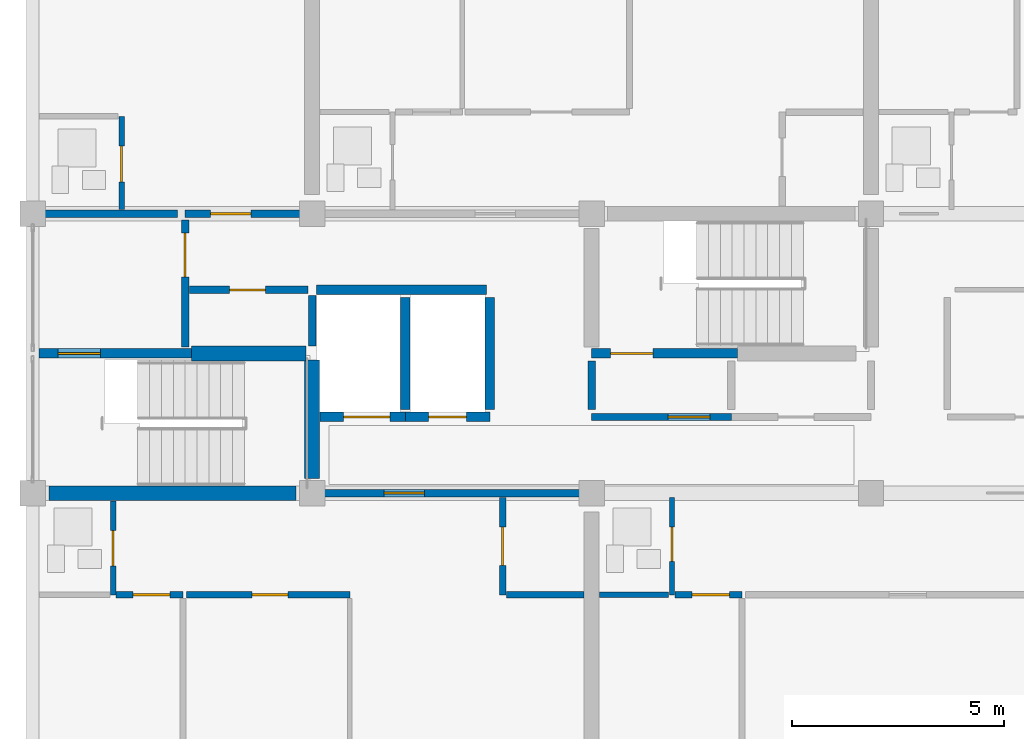
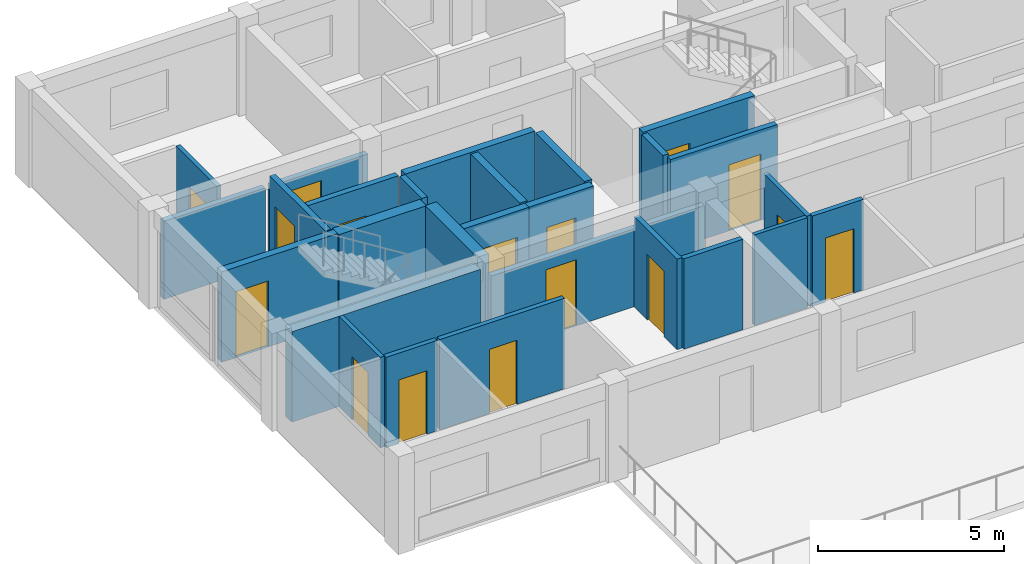
# One storey, part 34 of 51: 27 walls, 16 doors, 16 openings.
"""IFC4 building model written with IfcOpenShell, lengths in metres."""

from ifc_helpers import new_model, si_unit, direction, frame, frame_2d, origin, place, context, subcontext, project, spatial, rectangle, extrude, material, layer, layer_set, type_object, element, fill, save


model = new_model("IFC4")

# Units and contexts
model_context = context("Model", 3, precision=1e-05, world=origin(), true_north=direction((0.0, 1.0)))
body_context = subcontext(model_context, "Body", "Model", "MODEL_VIEW")
ifc_project = project(units=[si_unit("LENGTHUNIT", "METRE"), si_unit("AREAUNIT", "SQUARE_METRE"), si_unit("VOLUMEUNIT", "CUBIC_METRE"), si_unit("PLANEANGLEUNIT", "RADIAN"), si_unit("MASSUNIT", "GRAM", prefix="KILO")], contexts=[model_context])

# Site, building, storey
site_placement = place(None, origin())
site = spatial("IfcSite", under=ifc_project, at=site_placement, CompositionType="ELEMENT")
building_placement = place(site_placement, origin())
building = spatial("IfcBuilding", under=site, at=building_placement, Name="Kernevlak Ridge Housing Community", CompositionType="ELEMENT")
storey_placement = place(building_placement, frame((0.0, 0.0, 8.39990234375)))
storey = spatial("IfcBuildingStorey", under=building, at=storey_placement, Name="L02", CompositionType="ELEMENT", Elevation=8.39990234375)

# Wall, opening, door
ifc_material_1 = material(Name="Concrete C35/45", Category="concrete")
ifc_layer_1 = layer(ifc_material_1, 0.22509765625, Name="Concrete C35/45")
ifc_layer_set_1 = layer_set([ifc_layer_1], Name="Concrete C35/45")
wall_type_1 = type_object("IfcWallType", Name="PW-01", PredefinedType="STANDARD", material=ifc_layer_set_1)
wall_1_placement = place(storey_placement, frame((15.75, 85.89990234375, 0.0), z_axis=(0.0, 0.0, 1.0), x_axis=(1.0, 0.0, 0.0)))
wall_1 = element("IfcWall", 1, at=wall_1_placement, inside=storey, type_object=wall_type_1, Name="Interior wall PW-01 WAL-INT-L02-0132", PredefinedType="STANDARD", context=body_context, shape_type="SweptSolid", body=[
    extrude(rectangle(XDim=3.60009765625, YDim=0.22509765625, at=frame_2d((1.800048828125, 0.0))), origin(), (0.0, 0.0, 1.0), 2.960205078125),
])
opening_1_placement = place(wall_1_placement, frame((0.449951171875, 0.0, 0.0)))
opening_1 = element("IfcOpeningElement", 2, at=opening_1_placement, cuts=wall_1, Name="Opening D065", PredefinedType="OPENING", context=body_context, shape_type="SweptSolid", body=[
    extrude(rectangle(XDim=1.0, YDim=2.159912109375, at=frame_2d((0.5, 1.080078125))), frame((0.0, 0.12255859375, 0.0), z_axis=(0.0, -1.0, 0.0), x_axis=(1.0, 0.0, 0.0)), (0.0, 0.0, 1.0), 0.2451171875),
])
ifc_material_2 = material(Name="Fire-rated sheet steel leaf", Category="steel")
door_type_1 = type_object("IfcDoorType", Name="DT-15", OperationType="NOTDEFINED", PredefinedType="DOOR", material=ifc_material_2)
door_1_placement = place(opening_1_placement, origin())
door_1 = element("IfcDoor", 3, at=door_1_placement, inside=storey, type_object=door_type_1, Name="Block A Stair 1 fire door D065", OperationType="SINGLE_SWING_LEFT", OverallHeight=2.159912109375, OverallWidth=1.0, PredefinedType="DOOR", context=body_context, shape_type="SweptSolid", body=[
    extrude(rectangle(XDim=1.0, YDim=2.159912109375, at=frame_2d((0.5, 1.080078125))), frame((0.0, 0.02490234375, 0.0), z_axis=(0.0, -1.0, 0.0), x_axis=(1.0, 0.0, 0.0)), (0.0, 0.0, 1.0), 0.050048828125),
])
fill(opening_1, door_1)

wall_2_placement = place(storey_placement, frame((22.385009765625, 84.39990234375, 0.0), z_axis=(0.0, 0.0, 1.0), x_axis=(1.0, 0.0, 0.0)))
wall_2 = element("IfcWall", 4, at=wall_2_placement, inside=storey, type_object=wall_type_1, Name="Interior wall PW-01 WAL-INT-L02-0136", PredefinedType="STANDARD", context=body_context, shape_type="SweptSolid", body=[
    extrude(rectangle(XDim=2.014892578125, YDim=0.22509765625, at=frame_2d((1.00732421875, 0.0))), origin(), (0.0, 0.0, 1.0), 2.960205078125),
])
opening_2_placement = place(wall_2_placement, frame((0.550048828125, 0.0, 0.0)))
opening_2 = element("IfcOpeningElement", 5, at=opening_2_placement, cuts=wall_2, Name="Opening LD06", PredefinedType="OPENING", context=body_context, shape_type="SweptSolid", body=[
    extrude(rectangle(XDim=1.10009765625, YDim=2.10009765625, at=frame_2d((0.550048828125, 1.050048828125))), frame((0.0, 0.12255859375, 0.0), z_axis=(0.0, -1.0, 0.0), x_axis=(1.0, 0.0, 0.0)), (0.0, 0.0, 1.0), 0.2451171875),
])
ifc_material_3 = material(Name="Stainless steel EN 1.4401", Category="steel")
door_type_2 = type_object("IfcDoorType", Name="DT-LD1", OperationType="DOUBLE_DOOR_SLIDING", PredefinedType="DOOR", material=ifc_material_3)
door_2_placement = place(opening_2_placement, origin())
door_2 = element("IfcDoor", 6, at=door_2_placement, inside=storey, type_object=door_type_2, Name="Lift LF-A1 landing door LD06", OperationType="DOUBLE_DOOR_SLIDING", OverallHeight=2.10009765625, OverallWidth=1.10009765625, PredefinedType="DOOR", context=body_context, shape_type="SweptSolid", body=[
    extrude(rectangle(XDim=1.10009765625, YDim=2.10009765625, at=frame_2d((0.550048828125, 1.050048828125))), frame((0.0, 0.02490234375, 0.0), z_axis=(0.0, -1.0, 0.0), x_axis=(1.0, 0.0, 0.0)), (0.0, 0.0, 1.0), 0.050048828125),
])
fill(opening_2, door_2)

wall_3_placement = place(storey_placement, frame((24.39990234375, 84.39990234375, 0.0), z_axis=(0.0, 0.0, 1.0), x_axis=(1.0, 0.0, 0.0)))
wall_3 = element("IfcWall", 7, at=wall_3_placement, inside=storey, type_object=wall_type_1, Name="Interior wall PW-01 WAL-INT-L02-0137", PredefinedType="STANDARD", context=body_context, shape_type="SweptSolid", body=[
    extrude(rectangle(XDim=2.0, YDim=0.22509765625, at=frame_2d((1.0, 0.0))), origin(), (0.0, 0.0, 1.0), 2.960205078125),
])
opening_3_placement = place(wall_3_placement, frame((0.550048828125, 0.0, 0.0)))
opening_3 = element("IfcOpeningElement", 8, at=opening_3_placement, cuts=wall_3, Name="Opening LD07", PredefinedType="OPENING", context=body_context, shape_type="SweptSolid", body=[
    extrude(rectangle(XDim=0.89990234375, YDim=2.10009765625, at=frame_2d((0.449951171875, 1.050048828125))), frame((0.0, 0.12255859375, 0.0), z_axis=(0.0, -1.0, 0.0), x_axis=(1.0, 0.0, 0.0)), (0.0, 0.0, 1.0), 0.2451171875),
])
door_type_3 = type_object("IfcDoorType", Name="DT-LD2", OperationType="DOUBLE_DOOR_SLIDING", PredefinedType="DOOR", material=ifc_material_3)
door_3_placement = place(opening_3_placement, origin())
door_3 = element("IfcDoor", 9, at=door_3_placement, inside=storey, type_object=door_type_3, Name="Lift LF-A2 landing door LD07", OperationType="DOUBLE_DOOR_SLIDING", OverallHeight=2.10009765625, OverallWidth=0.89990234375, PredefinedType="DOOR", context=body_context, shape_type="SweptSolid", body=[
    extrude(rectangle(XDim=0.89990234375, YDim=2.10009765625, at=frame_2d((0.449951171875, 1.050048828125))), frame((0.0, 0.02490234375, 0.0), z_axis=(0.0, -1.0, 0.0), x_axis=(1.0, 0.0, 0.0)), (0.0, 0.0, 1.0), 0.050048828125),
])
fill(opening_3, door_3)

# Walls
wall_4_placement = place(storey_placement, frame((22.297607421875, 87.39990234375, 0.0), z_axis=(0.0, 0.0, 1.0), x_axis=(1.0, 0.0, 0.0)))
element("IfcWall", 10, at=wall_4_placement, inside=storey, type_object=wall_type_1, Name="Interior wall PW-01 WAL-INT-L02-0138", PredefinedType="STANDARD", context=body_context, shape_type="SweptSolid", body=[
    extrude(rectangle(XDim=4.0224609375, YDim=0.22509765625, at=frame_2d((2.01123046875, 0.0))), origin(), (0.0, 0.0, 1.0), 2.960205078125),
])
for number, where, z_axis, x_axis, name in (
    (11, (24.39990234375, 84.580078125, 0.0), (0.0, 0.0, 1.0), (0.0, 1.0, 0.0), "Interior wall PW-01 WAL-INT-L02-0140"),
    (12, (26.39990234375, 84.580078125, 0.0), (0.0, 0.0, 1.0), (0.0, 1.0, 0.0), "Interior wall PW-01 WAL-INT-L02-0141"),
):
    element("IfcWall", number, at=place(storey_placement, frame(where, z_axis=z_axis, x_axis=x_axis)), inside=storey, type_object=wall_type_1, Name=name, PredefinedType="STANDARD", context=body_context, shape_type="SweptSolid", body=[
        extrude(rectangle(XDim=2.639892578125, YDim=0.22509765625, at=frame_2d((1.31982421875, 0.0))), origin(), (0.0, 0.0, 1.0), 2.960205078125),
    ])

# Wall, opening, door
wall_5_placement = place(storey_placement, frame((28.800048828125, 85.89990234375, 0.0), z_axis=(0.0, 0.0, 1.0), x_axis=(1.0, 0.0, 0.0)))
wall_5 = element("IfcWall", 13, at=wall_5_placement, inside=storey, type_object=wall_type_1, Name="Interior wall PW-01 WAL-INT-L02-0142", PredefinedType="STANDARD", context=body_context, shape_type="SweptSolid", body=[
    extrude(rectangle(XDim=3.449951171875, YDim=0.22509765625, at=frame_2d((1.72509765625, 0.0))), origin(), (0.0, 0.0, 1.0), 2.960205078125),
])
opening_4_placement = place(wall_5_placement, frame((0.449951171875, 0.0, 0.0)))
opening_4 = element("IfcOpeningElement", 14, at=opening_4_placement, cuts=wall_5, Name="Opening D068", PredefinedType="OPENING", context=body_context, shape_type="SweptSolid", body=[
    extrude(rectangle(XDim=1.0, YDim=2.10009765625, at=frame_2d((0.5, 1.050048828125))), frame((0.0, 0.12255859375, 0.0), z_axis=(0.0, -1.0, 0.0), x_axis=(1.0, 0.0, 0.0)), (0.0, 0.0, 1.0), 0.2451171875),
])
door_type_4 = type_object("IfcDoorType", Name="DT-05", OperationType="NOTDEFINED", PredefinedType="DOOR", material=ifc_material_2)
door_4_placement = place(opening_4_placement, origin())
door_4 = element("IfcDoor", 15, at=door_4_placement, inside=storey, type_object=door_type_4, Name="Block A Stair 2 fire door D068", OperationType="SINGLE_SWING_RIGHT", OverallHeight=2.10009765625, OverallWidth=1.0, PredefinedType="DOOR", context=body_context, shape_type="SweptSolid", body=[
    extrude(rectangle(XDim=1.0, YDim=2.10009765625, at=frame_2d((0.5, 1.050048828125))), frame((0.0, 0.02490234375, 0.0), z_axis=(0.0, -1.0, 0.0), x_axis=(1.0, 0.0, 0.0)), (0.0, 0.0, 1.0), 0.050048828125),
])
fill(opening_4, door_4)

ifc_material_4 = material(Name="Concrete block masonry M10", Category="masonry")
ifc_layer_2 = layer(ifc_material_4, 0.175048828125, Name="Concrete block masonry M10")
ifc_layer_set_2 = layer_set([ifc_layer_2], Name="Concrete block masonry M10")
wall_type_2 = type_object("IfcWallType", Name="PW-02", PredefinedType="PARTITIONING", material=ifc_layer_set_2)
wall_6_placement = place(storey_placement, frame((19.199951171875, 86.050048828125, 0.0), z_axis=(0.0, 0.0, 1.0), x_axis=(0.0, 1.0, 0.0)))
wall_6 = element("IfcWall", 16, at=wall_6_placement, inside=storey, type_object=wall_type_2, Name="Interior wall PW-02 WAL-INT-L02-0133", PredefinedType="PARTITIONING", context=body_context, shape_type="SweptSolid", body=[
    extrude(rectangle(XDim=3.0, YDim=0.175048828125, at=frame_2d((1.5, 0.0))), origin(), (0.0, 0.0, 1.0), 2.960205078125),
])
opening_5_placement = place(wall_6_placement, frame((1.64990234375, 0.0, 0.0)))
opening_5 = element("IfcOpeningElement", 17, at=opening_5_placement, cuts=wall_6, Name="Opening D066", PredefinedType="OPENING", context=body_context, shape_type="SweptSolid", body=[
    extrude(rectangle(XDim=1.0400390625, YDim=2.1201171875, at=frame_2d((0.52001953125, 1.06005859375))), frame((0.0, 0.097412109375, 0.0), z_axis=(0.0, -1.0, 0.0), x_axis=(1.0, 0.0, 0.0)), (0.0, 0.0, 1.0), 0.195068359375),
])
door_type_5 = type_object("IfcDoorType", Name="DT-16", OperationType="NOTDEFINED", PredefinedType="DOOR", material=ifc_material_2)
door_5_placement = place(opening_5_placement, origin())
door_5 = element("IfcDoor", 18, at=door_5_placement, inside=storey, type_object=door_type_5, Name="Block A Firefighting lobby 1 door D066", OperationType="SINGLE_SWING_RIGHT", OverallHeight=2.1201171875, OverallWidth=1.0400390625, PredefinedType="DOOR", context=body_context, shape_type="SweptSolid", body=[
    extrude(rectangle(XDim=1.0400390625, YDim=2.1201171875, at=frame_2d((0.52001953125, 1.06005859375))), frame((0.0, 0.02490234375, 0.0), z_axis=(0.0, -1.0, 0.0), x_axis=(1.0, 0.0, 0.0)), (0.0, 0.0, 1.0), 0.050048828125),
])
fill(opening_5, door_5)

wall_7_placement = place(storey_placement, frame((19.300048828125, 87.39990234375, 0.0), z_axis=(0.0, 0.0, 1.0), x_axis=(1.0, 0.0, 0.0)))
wall_7 = element("IfcWall", 19, at=wall_7_placement, inside=storey, type_object=wall_type_2, Name="Interior wall PW-02 WAL-INT-L02-0134", PredefinedType="PARTITIONING", context=body_context, shape_type="SweptSolid", body=[
    extrude(rectangle(XDim=2.800048828125, YDim=0.175048828125, at=frame_2d((1.39990234375, 0.0))), origin(), (0.0, 0.0, 1.0), 2.960205078125),
])
opening_6_placement = place(wall_7_placement, frame((0.949951171875, 0.0, 0.0)))
opening_6 = element("IfcOpeningElement", 20, at=opening_6_placement, cuts=wall_7, Name="Opening D067", PredefinedType="OPENING", context=body_context, shape_type="SweptSolid", body=[
    extrude(rectangle(XDim=0.85009765625, YDim=2.0, at=frame_2d((0.425048828125, 1.0))), frame((0.0, 0.097412109375, 0.0), z_axis=(0.0, -1.0, 0.0), x_axis=(1.0, 0.0, 0.0)), (0.0, 0.0, 1.0), 0.195068359375),
])
door_type_6 = type_object("IfcDoorType", Name="DT-07", OperationType="NOTDEFINED", PredefinedType="DOOR", material=ifc_material_2)
door_6_placement = place(opening_6_placement, origin())
door_6 = element("IfcDoor", 21, at=door_6_placement, inside=storey, type_object=door_type_6, Name="Block A Riser shaft door D067", OperationType="SINGLE_SWING_LEFT", OverallHeight=2.0, OverallWidth=0.85009765625, PredefinedType="DOOR", context=body_context, shape_type="SweptSolid", body=[
    extrude(rectangle(XDim=0.85009765625, YDim=2.0, at=frame_2d((0.425048828125, 1.0))), frame((0.0, 0.02490234375, 0.0), z_axis=(0.0, -1.0, 0.0), x_axis=(1.0, 0.0, 0.0)), (0.0, 0.0, 1.0), 0.050048828125),
])
fill(opening_6, door_6)

# Wall
wall_8_placement = place(storey_placement, frame((22.199951171875, 86.080078125, 0.0), z_axis=(0.0, 0.0, 1.0), x_axis=(0.0, 1.0, 0.0)))
element("IfcWall", 22, at=wall_8_placement, inside=storey, type_object=wall_type_2, Name="Interior wall PW-02 WAL-INT-L02-0135", PredefinedType="PARTITIONING", context=body_context, shape_type="SweptSolid", body=[
    extrude(rectangle(XDim=1.18994140625, YDim=0.175048828125, at=frame_2d((0.594970703125, 0.0))), origin(), (0.0, 0.0, 1.0), 2.960205078125),
])

# Wall, opening, door
wall_9_placement = place(storey_placement, frame((28.800048828125, 84.39990234375, 0.0), z_axis=(0.0, 0.0, 1.0), x_axis=(1.0, 0.0, 0.0)))
wall_9 = element("IfcWall", 23, at=wall_9_placement, inside=storey, type_object=wall_type_2, Name="Interior wall PW-02 WAL-INT-L02-0143", PredefinedType="PARTITIONING", context=body_context, shape_type="SweptSolid", body=[
    extrude(rectangle(XDim=3.300048828125, YDim=0.175048828125, at=frame_2d((1.64990234375, 0.0))), origin(), (0.0, 0.0, 1.0), 2.960205078125),
])
opening_7_placement = place(wall_9_placement, frame((1.800048828125, 0.0, 0.0)))
opening_7 = element("IfcOpeningElement", 24, at=opening_7_placement, cuts=wall_9, Name="Opening D069", PredefinedType="OPENING", context=body_context, shape_type="SweptSolid", body=[
    extrude(rectangle(XDim=1.0, YDim=2.159912109375, at=frame_2d((0.5, 1.080078125))), frame((0.0, 0.097412109375, 0.0), z_axis=(0.0, -1.0, 0.0), x_axis=(1.0, 0.0, 0.0)), (0.0, 0.0, 1.0), 0.195068359375),
])
door_7_placement = place(opening_7_placement, origin())
door_7 = element("IfcDoor", 25, at=door_7_placement, inside=storey, type_object=door_type_1, Name="Block A Firefighting lobby 2 door D069", OperationType="SINGLE_SWING_LEFT", OverallHeight=2.159912109375, OverallWidth=1.0, PredefinedType="DOOR", context=body_context, shape_type="SweptSolid", body=[
    extrude(rectangle(XDim=1.0, YDim=2.159912109375, at=frame_2d((0.5, 1.080078125))), frame((0.0, 0.02490234375, 0.0), z_axis=(0.0, -1.0, 0.0), x_axis=(1.0, 0.0, 0.0)), (0.0, 0.0, 1.0), 0.050048828125),
])
fill(opening_7, door_7)

# Wall
wall_10_placement = place(storey_placement, frame((28.800048828125, 84.580078125, 0.0), z_axis=(0.0, 0.0, 1.0), x_axis=(0.0, 1.0, 0.0)))
element("IfcWall", 26, at=wall_10_placement, inside=storey, type_object=wall_type_2, Name="Interior wall PW-02 WAL-INT-L02-0145", PredefinedType="PARTITIONING", context=body_context, shape_type="SweptSolid", body=[
    extrude(rectangle(XDim=1.139892578125, YDim=0.175048828125, at=frame_2d((0.56982421875, 0.0))), origin(), (0.0, 0.0, 1.0), 2.960205078125),
])

# Wall, opening, door
wall_11_placement = place(storey_placement, frame((22.199951171875, 82.60009765625, 0.0), z_axis=(0.0, 0.0, 1.0), x_axis=(1.0, 0.0, 0.0)))
wall_11 = element("IfcWall", 27, at=wall_11_placement, inside=storey, type_object=wall_type_2, Name="Interior wall PW-02 WAL-INT-L02-0153", PredefinedType="PARTITIONING", context=body_context, shape_type="SweptSolid", body=[
    extrude(rectangle(XDim=6.60009765625, YDim=0.175048828125, at=frame_2d((3.300048828125, 0.0))), origin(), (0.0, 0.0, 1.0), 2.550048828125),
])
opening_8_placement = place(wall_11_placement, frame((1.699951171875, 0.0, 0.0)))
opening_8 = element("IfcOpeningElement", 28, at=opening_8_placement, cuts=wall_11, Name="Opening D073", PredefinedType="OPENING", context=body_context, shape_type="SweptSolid", body=[
    extrude(rectangle(XDim=0.949951171875, YDim=2.159912109375, at=frame_2d((0.47509765625, 1.080078125))), frame((0.0, 0.097412109375, 0.0), z_axis=(0.0, -1.0, 0.0), x_axis=(1.0, 0.0, 0.0)), (0.0, 0.0, 1.0), 0.195068359375),
])
ifc_material_5 = material(Name="Hardwood timber solid-core fire leaf", Category="wood")
door_type_7 = type_object("IfcDoorType", Name="DT-02", OperationType="NOTDEFINED", PredefinedType="DOOR", material=ifc_material_5)
door_8_placement = place(opening_8_placement, origin())
door_8 = element("IfcDoor", 29, at=door_8_placement, inside=storey, type_object=door_type_7, Name="Flat A0211 entrance fire door D073", OperationType="SINGLE_SWING_LEFT", OverallHeight=2.159912109375, OverallWidth=0.949951171875, PredefinedType="DOOR", context=body_context, shape_type="SweptSolid", body=[
    extrude(rectangle(XDim=0.949951171875, YDim=2.159912109375, at=frame_2d((0.47509765625, 1.080078125))), frame((0.0, 0.02490234375, 0.0), z_axis=(0.0, -1.0, 0.0), x_axis=(1.0, 0.0, 0.0)), (0.0, 0.0, 1.0), 0.050048828125),
])
fill(opening_8, door_8)

# Wall
wall_12_placement = place(storey_placement, frame((15.8798828125, 89.199951171875, 0.0), z_axis=(0.0, 0.0, 1.0), x_axis=(1.0, 0.0, 0.0)))
element("IfcWall", 30, at=wall_12_placement, inside=storey, type_object=wall_type_2, Name="Interior wall PW-02 WAL-INT-L02-0171", PredefinedType="PARTITIONING", context=body_context, shape_type="SweptSolid", body=[
    extrude(rectangle(XDim=3.14013671875, YDim=0.175048828125, at=frame_2d((1.570068359375, 0.0))), origin(), (0.0, 0.0, 1.0), 2.550048828125),
])

# Wall, opening, door
wall_13_placement = place(storey_placement, frame((19.199951171875, 89.199951171875, 0.0), z_axis=(0.0, 0.0, 1.0), x_axis=(1.0, 0.0, 0.0)))
wall_13 = element("IfcWall", 31, at=wall_13_placement, inside=storey, type_object=wall_type_2, Name="Interior wall PW-02 WAL-INT-L02-0172", PredefinedType="PARTITIONING", context=body_context, shape_type="SweptSolid", body=[
    extrude(rectangle(XDim=3.0, YDim=0.175048828125, at=frame_2d((1.5, 0.0))), origin(), (0.0, 0.0, 1.0), 2.550048828125),
])
opening_9_placement = place(wall_13_placement, frame((0.60009765625, 0.0, 0.0)))
opening_9 = element("IfcOpeningElement", 32, at=opening_9_placement, cuts=wall_13, Name="Opening D084", PredefinedType="OPENING", context=body_context, shape_type="SweptSolid", body=[
    extrude(rectangle(XDim=0.9599609375, YDim=2.179931640625, at=frame_2d((0.47998046875, 1.08984375))), frame((0.0, 0.097412109375, 0.0), z_axis=(0.0, -1.0, 0.0), x_axis=(1.0, 0.0, 0.0)), (0.0, 0.0, 1.0), 0.195068359375),
])
door_type_8 = type_object("IfcDoorType", Name="DT-29", OperationType="NOTDEFINED", PredefinedType="DOOR", material=ifc_material_5)
door_9_placement = place(opening_9_placement, origin())
door_9 = element("IfcDoor", 33, at=door_9_placement, inside=storey, type_object=door_type_8, Name="Flat A0221 entrance fire door D084", OperationType="SINGLE_SWING_RIGHT", OverallHeight=2.179931640625, OverallWidth=0.9599609375, PredefinedType="DOOR", context=body_context, shape_type="SweptSolid", body=[
    extrude(rectangle(XDim=0.9599609375, YDim=2.179931640625, at=frame_2d((0.47998046875, 1.08984375))), frame((0.0, 0.02490234375, 0.0), z_axis=(0.0, -1.0, 0.0), x_axis=(1.0, 0.0, 0.0)), (0.0, 0.0, 1.0), 0.050048828125),
])
fill(opening_9, door_9)

ifc_layer_3 = layer(ifc_material_4, 0.14501953125, Name="Concrete block masonry M10")
ifc_layer_set_3 = layer_set([ifc_layer_3], Name="Concrete block masonry M10")
wall_type_3 = type_object("IfcWallType", Name="PW-03", PredefinedType="PARTITIONING", material=ifc_layer_set_3)
wall_14_placement = place(storey_placement, frame((17.572509765625, 80.199951171875, 0.0), z_axis=(0.0, 0.0, 1.0), x_axis=(1.0, 0.0, 0.0)))
wall_14 = element("IfcWall", 34, at=wall_14_placement, inside=storey, type_object=wall_type_3, Name="Interior wall PW-03 WAL-INT-L02-0158", PredefinedType="PARTITIONING", context=body_context, shape_type="SweptSolid", body=[
    extrude(rectangle(XDim=1.577392578125, YDim=0.14501953125, at=frame_2d((0.78857421875, 0.0))), origin(), (0.0, 0.0, 1.0), 2.960205078125),
])
opening_10_placement = place(wall_14_placement, frame((0.39990234375, 0.0, 0.0)))
opening_10 = element("IfcOpeningElement", 35, at=opening_10_placement, cuts=wall_14, Name="Opening D076", PredefinedType="OPENING", context=body_context, shape_type="SweptSolid", body=[
    extrude(rectangle(XDim=0.8701171875, YDim=2.080078125, at=frame_2d((0.43505859375, 1.0400390625))), frame((0.0, 0.08251953125, 0.0), z_axis=(0.0, -1.0, 0.0), x_axis=(1.0, 0.0, 0.0)), (0.0, 0.0, 1.0), 0.1650390625),
])
ifc_material_6 = material(Name="Hardwood timber leaf", Category="wood")
door_type_9 = type_object("IfcDoorType", Name="DT-32", OperationType="NOTDEFINED", PredefinedType="DOOR", material=ifc_material_6)
door_10_placement = place(opening_10_placement, origin())
door_10 = element("IfcDoor", 36, at=door_10_placement, inside=storey, type_object=door_type_9, Name="Flat A0211 bedroom door D076", OperationType="SINGLE_SWING_RIGHT", OverallHeight=2.080078125, OverallWidth=0.8701171875, PredefinedType="DOOR", context=body_context, shape_type="SweptSolid", body=[
    extrude(rectangle(XDim=0.8701171875, YDim=2.080078125, at=frame_2d((0.43505859375, 1.0400390625))), frame((0.0, 0.02490234375, 0.0), z_axis=(0.0, -1.0, 0.0), x_axis=(1.0, 0.0, 0.0)), (0.0, 0.0, 1.0), 0.050048828125),
])
fill(opening_10, door_10)

wall_15_placement = place(storey_placement, frame((19.232421875, 80.199951171875, 0.0), z_axis=(0.0, 0.0, 1.0), x_axis=(1.0, 0.0, 0.0)))
wall_15 = element("IfcWall", 37, at=wall_15_placement, inside=storey, type_object=wall_type_3, Name="Interior wall PW-03 WAL-INT-L02-0160", PredefinedType="PARTITIONING", context=body_context, shape_type="SweptSolid", body=[
    extrude(rectangle(XDim=3.859619140625, YDim=0.14501953125, at=frame_2d((1.9296875, 0.0))), origin(), (0.0, 0.0, 1.0), 2.960205078125),
])
opening_11_placement = place(wall_15_placement, frame((1.5458984375, 0.0, 0.0)))
opening_11 = element("IfcOpeningElement", 38, at=opening_11_placement, cuts=wall_15, Name="Opening D077", PredefinedType="OPENING", context=body_context, shape_type="SweptSolid", body=[
    extrude(rectangle(XDim=0.85009765625, YDim=2.10009765625, at=frame_2d((0.425048828125, 1.050048828125))), frame((0.0, 0.08251953125, 0.0), z_axis=(0.0, -1.0, 0.0), x_axis=(1.0, 0.0, 0.0)), (0.0, 0.0, 1.0), 0.1650390625),
])
door_type_10 = type_object("IfcDoorType", Name="DT-03", OperationType="NOTDEFINED", PredefinedType="DOOR", material=ifc_material_6)
door_11_placement = place(opening_11_placement, origin())
door_11 = element("IfcDoor", 39, at=door_11_placement, inside=storey, type_object=door_type_10, Name="Flat A0211 bedroom door D077", OperationType="SINGLE_SWING_LEFT", OverallHeight=2.10009765625, OverallWidth=0.85009765625, PredefinedType="DOOR", context=body_context, shape_type="SweptSolid", body=[
    extrude(rectangle(XDim=0.85009765625, YDim=2.10009765625, at=frame_2d((0.425048828125, 1.050048828125))), frame((0.0, 0.02490234375, 0.0), z_axis=(0.0, -1.0, 0.0), x_axis=(1.0, 0.0, 0.0)), (0.0, 0.0, 1.0), 0.050048828125),
])
fill(opening_11, door_11)

wall_16_placement = place(storey_placement, frame((30.7724609375, 80.199951171875, 0.0), z_axis=(0.0, 0.0, 1.0), x_axis=(1.0, 0.0, 0.0)))
wall_16 = element("IfcWall", 40, at=wall_16_placement, inside=storey, type_object=wall_type_3, Name="Interior wall PW-03 WAL-INT-L02-0167", PredefinedType="PARTITIONING", context=body_context, shape_type="SweptSolid", body=[
    extrude(rectangle(XDim=1.57763671875, YDim=0.14501953125, at=frame_2d((0.788818359375, 0.0))), origin(), (0.0, 0.0, 1.0), 2.960205078125),
])
opening_12_placement = place(wall_16_placement, frame((0.39990234375, 0.0, 0.0)))
opening_12 = element("IfcOpeningElement", 41, at=opening_12_placement, cuts=wall_16, Name="Opening D082", PredefinedType="OPENING", context=body_context, shape_type="SweptSolid", body=[
    extrude(rectangle(XDim=0.8798828125, YDim=2.10009765625, at=frame_2d((0.43994140625, 1.050048828125))), frame((0.0, 0.08251953125, 0.0), z_axis=(0.0, -1.0, 0.0), x_axis=(1.0, 0.0, 0.0)), (0.0, 0.0, 1.0), 0.1650390625),
])
door_type_11 = type_object("IfcDoorType", Name="DT-25", OperationType="NOTDEFINED", PredefinedType="DOOR", material=ifc_material_6)
door_12_placement = place(opening_12_placement, origin())
door_12 = element("IfcDoor", 42, at=door_12_placement, inside=storey, type_object=door_type_11, Name="Flat A0212 bedroom door D082", OperationType="SINGLE_SWING_RIGHT", OverallHeight=2.10009765625, OverallWidth=0.8798828125, PredefinedType="DOOR", context=body_context, shape_type="SweptSolid", body=[
    extrude(rectangle(XDim=0.8798828125, YDim=2.10009765625, at=frame_2d((0.43994140625, 1.050048828125))), frame((0.0, 0.02490234375, 0.0), z_axis=(0.0, -1.0, 0.0), x_axis=(1.0, 0.0, 0.0)), (0.0, 0.0, 1.0), 0.050048828125),
])
fill(opening_12, door_12)

ifc_material_7 = material(Name="Gypsum plasterboard EN 520", Category="gypsum")
ifc_layer_4 = layer(ifc_material_7, 0.125, Name="Gypsum plasterboard EN 520")
ifc_layer_set_4 = layer_set([ifc_layer_4], Name="Gypsum plasterboard EN 520")
wall_type_4 = type_object("IfcWallType", Name="PW-04", PredefinedType="PARTITIONING", material=ifc_layer_set_4)
wall_17_placement = place(storey_placement, frame((17.5, 82.4150390625, 0.0), z_axis=(0.0, 0.0, 1.0), x_axis=(0.0, -1.0, 0.0)))
wall_17 = element("IfcWall", 43, at=wall_17_placement, inside=storey, type_object=wall_type_4, Name="Interior wall PW-04 WAL-INT-L02-0154", PredefinedType="PARTITIONING", context=body_context, shape_type="SweptSolid", body=[
    extrude(rectangle(XDim=2.215087890625, YDim=0.125, at=frame_2d((1.107421875, 0.0))), origin(), (0.0, 0.0, 1.0), 2.960205078125),
])
opening_13_placement = place(wall_17_placement, frame((0.699951171875, 0.0, 0.0)))
opening_13 = element("IfcOpeningElement", 44, at=opening_13_placement, cuts=wall_17, Name="Opening D074", PredefinedType="OPENING", context=body_context, shape_type="SweptSolid", body=[
    extrude(rectangle(XDim=0.840087890625, YDim=2.06005859375, at=frame_2d((0.419921875, 1.030029296875))), frame((0.0, 0.072509765625, 0.0), z_axis=(0.0, -1.0, 0.0), x_axis=(1.0, 0.0, 0.0)), (0.0, 0.0, 1.0), 0.14501953125),
])
ifc_material_8 = material(Name="Hardwood timber moisture-resistant leaf", Category="wood")
door_type_12 = type_object("IfcDoorType", Name="DT-27", OperationType="NOTDEFINED", PredefinedType="DOOR", material=ifc_material_8)
door_13_placement = place(opening_13_placement, origin())
door_13 = element("IfcDoor", 45, at=door_13_placement, inside=storey, type_object=door_type_12, Name="Flat A0211 bathroom door D074", OperationType="SINGLE_SWING_RIGHT", OverallHeight=2.06005859375, OverallWidth=0.840087890625, PredefinedType="DOOR", context=body_context, shape_type="SweptSolid", body=[
    extrude(rectangle(XDim=0.840087890625, YDim=2.06005859375, at=frame_2d((0.419921875, 1.030029296875))), frame((0.0, 0.02490234375, 0.0), z_axis=(0.0, -1.0, 0.0), x_axis=(1.0, 0.0, 0.0)), (0.0, 0.0, 1.0), 0.050048828125),
])
fill(opening_13, door_13)

wall_18_placement = place(storey_placement, frame((30.699951171875, 82.50244140625, 0.0), z_axis=(0.0, 0.0, 1.0), x_axis=(0.0, -1.0, 0.0)))
wall_18 = element("IfcWall", 46, at=wall_18_placement, inside=storey, type_object=wall_type_4, Name="Interior wall PW-04 WAL-INT-L02-0163", PredefinedType="PARTITIONING", context=body_context, shape_type="SweptSolid", body=[
    extrude(rectangle(XDim=2.302490234375, YDim=0.125, at=frame_2d((1.1513671875, 0.0))), origin(), (0.0, 0.0, 1.0), 2.960205078125),
])
opening_14_placement = place(wall_18_placement, frame((0.699951171875, 0.0, 0.0)))
opening_14 = element("IfcOpeningElement", 47, at=opening_14_placement, cuts=wall_18, Name="Opening D080", PredefinedType="OPENING", context=body_context, shape_type="SweptSolid", body=[
    extrude(rectangle(XDim=0.820068359375, YDim=2.050048828125, at=frame_2d((0.41015625, 1.02490234375))), frame((0.0, 0.072509765625, 0.0), z_axis=(0.0, -1.0, 0.0), x_axis=(1.0, 0.0, 0.0)), (0.0, 0.0, 1.0), 0.14501953125),
])
door_type_13 = type_object("IfcDoorType", Name="DT-30", OperationType="NOTDEFINED", PredefinedType="DOOR", material=ifc_material_8)
door_14_placement = place(opening_14_placement, origin())
door_14 = element("IfcDoor", 48, at=door_14_placement, inside=storey, type_object=door_type_13, Name="Flat A0212 bathroom door D080", OperationType="SINGLE_SWING_RIGHT", OverallHeight=2.050048828125, OverallWidth=0.820068359375, PredefinedType="DOOR", context=body_context, shape_type="SweptSolid", body=[
    extrude(rectangle(XDim=0.820068359375, YDim=2.050048828125, at=frame_2d((0.41015625, 1.02490234375))), frame((0.0, 0.02490234375, 0.0), z_axis=(0.0, -1.0, 0.0), x_axis=(1.0, 0.0, 0.0)), (0.0, 0.0, 1.0), 0.050048828125),
])
fill(opening_14, door_14)

# Wall
wall_19_placement = place(storey_placement, frame((28.985107421875, 80.199951171875, 0.0), z_axis=(0.0, 0.0, 1.0), x_axis=(1.0, 0.0, 0.0)))
element("IfcWall", 49, at=wall_19_placement, inside=storey, type_object=wall_type_4, Name="Interior wall PW-04 WAL-INT-L02-0164", PredefinedType="PARTITIONING", context=body_context, shape_type="SweptSolid", body=[
    extrude(rectangle(XDim=1.635009765625, YDim=0.125, at=frame_2d((0.8173828125, 0.0))), origin(), (0.0, 0.0, 1.0), 2.960205078125),
])

# Wall, opening, door
wall_20_placement = place(storey_placement, frame((17.699951171875, 89.297607421875, 0.0), z_axis=(0.0, 0.0, 1.0), x_axis=(0.0, 1.0, 0.0)))
wall_20 = element("IfcWall", 50, at=wall_20_placement, inside=storey, type_object=wall_type_4, Name="Interior wall PW-04 WAL-INT-L02-0173", PredefinedType="PARTITIONING", context=body_context, shape_type="SweptSolid", body=[
    extrude(rectangle(XDim=2.202392578125, YDim=0.125, at=frame_2d((1.10107421875, 0.0))), origin(), (0.0, 0.0, 1.0), 2.960205078125),
])
opening_15_placement = place(wall_20_placement, frame((0.64990234375, 0.0, 0.0)))
opening_15 = element("IfcOpeningElement", 51, at=opening_15_placement, cuts=wall_20, Name="Opening D085", PredefinedType="OPENING", context=body_context, shape_type="SweptSolid", body=[
    extrude(rectangle(XDim=0.85009765625, YDim=2.0400390625, at=frame_2d((0.425048828125, 1.02001953125))), frame((0.0, 0.072509765625, 0.0), z_axis=(0.0, -1.0, 0.0), x_axis=(1.0, 0.0, 0.0)), (0.0, 0.0, 1.0), 0.14501953125),
])
door_type_14 = type_object("IfcDoorType", Name="DT-04", OperationType="NOTDEFINED", PredefinedType="DOOR", material=ifc_material_8)
door_15_placement = place(opening_15_placement, origin())
door_15 = element("IfcDoor", 52, at=door_15_placement, inside=storey, type_object=door_type_14, Name="Flat A0221 bathroom door D085", OperationType="SINGLE_SWING_LEFT", OverallHeight=2.0400390625, OverallWidth=0.85009765625, PredefinedType="DOOR", context=body_context, shape_type="SweptSolid", body=[
    extrude(rectangle(XDim=0.85009765625, YDim=2.0400390625, at=frame_2d((0.425048828125, 1.02001953125))), frame((0.0, 0.02490234375, 0.0), z_axis=(0.0, -1.0, 0.0), x_axis=(1.0, 0.0, 0.0)), (0.0, 0.0, 1.0), 0.050048828125),
])
fill(opening_15, door_15)

ifc_layer_5 = layer(ifc_material_7, 0.155029296875, Name="Gypsum plasterboard EN 520")
ifc_layer_set_5 = layer_set([ifc_layer_5], Name="Gypsum plasterboard EN 520")
wall_type_5 = type_object("IfcWallType", Name="PW-05", PredefinedType="PARTITIONING", material=ifc_layer_set_5)
wall_21_placement = place(storey_placement, frame((26.699951171875, 82.50244140625, 0.0), z_axis=(0.0, 0.0, 1.0), x_axis=(0.0, -1.0, 0.0)))
wall_21 = element("IfcWall", 53, at=wall_21_placement, inside=storey, type_object=wall_type_5, Name="Interior wall PW-05 WAL-INT-L02-0156", PredefinedType="PARTITIONING", context=body_context, shape_type="SweptSolid", body=[
    extrude(rectangle(XDim=2.302490234375, YDim=0.155029296875, at=frame_2d((1.1513671875, 0.0))), origin(), (0.0, 0.0, 1.0), 2.960205078125),
])
opening_16_placement = place(wall_21_placement, frame((0.699951171875, 0.0, 0.0)))
opening_16 = element("IfcOpeningElement", 54, at=opening_16_placement, cuts=wall_21, Name="Opening D075", PredefinedType="OPENING", context=body_context, shape_type="SweptSolid", body=[
    extrude(rectangle(XDim=0.909912109375, YDim=2.139892578125, at=frame_2d((0.455078125, 1.06982421875))), frame((0.0, 0.08740234375, 0.0), z_axis=(0.0, -1.0, 0.0), x_axis=(1.0, 0.0, 0.0)), (0.0, 0.0, 1.0), 0.175048828125),
])
door_type_15 = type_object("IfcDoorType", Name="DT-31", OperationType="NOTDEFINED", PredefinedType="DOOR", material=ifc_material_6)
door_16_placement = place(opening_16_placement, origin())
door_16 = element("IfcDoor", 55, at=door_16_placement, inside=storey, type_object=door_type_15, Name="Flat A0211 kitchen door D075", OperationType="SINGLE_SWING_LEFT", OverallHeight=2.139892578125, OverallWidth=0.909912109375, PredefinedType="DOOR", context=body_context, shape_type="SweptSolid", body=[
    extrude(rectangle(XDim=0.909912109375, YDim=2.139892578125, at=frame_2d((0.455078125, 1.06982421875))), frame((0.0, 0.02490234375, 0.0), z_axis=(0.0, -1.0, 0.0), x_axis=(1.0, 0.0, 0.0)), (0.0, 0.0, 1.0), 0.050048828125),
])
fill(opening_16, door_16)

# Walls
wall_22_placement = place(storey_placement, frame((26.78759765625, 80.199951171875, 0.0), z_axis=(0.0, 0.0, 1.0), x_axis=(1.0, 0.0, 0.0)))
element("IfcWall", 56, at=wall_22_placement, inside=storey, type_object=wall_type_5, Name="Interior wall PW-05 WAL-INT-L02-0157", PredefinedType="PARTITIONING", context=body_context, shape_type="SweptSolid", body=[
    extrude(rectangle(XDim=1.827392578125, YDim=0.155029296875, at=frame_2d((0.91357421875, 0.0))), origin(), (0.0, 0.0, 1.0), 2.960205078125),
])
ifc_material_9 = material(Name="Concrete C40/50", Category="concrete")
ifc_layer_6 = layer(ifc_material_9, 0.35009765625, Name="Concrete C40/50")
ifc_layer_set_6 = layer_set([ifc_layer_6], Name="Concrete C40/50")
wall_type_6 = type_object("IfcWallType", Name="SW-01", PredefinedType="SHEAR", material=ifc_layer_set_6)
wall_23_placement = place(storey_placement, frame((15.97998046875, 82.60009765625, 0.0), z_axis=(0.0, 0.0, 1.0), x_axis=(1.0, 0.0, 0.0)))
element("IfcWall", 57, at=wall_23_placement, inside=storey, type_object=wall_type_6, Name="Shear wall SW-01 Block A L02 31", PredefinedType="SHEAR", context=body_context, shape_type="SweptSolid", body=[
    extrude(rectangle(XDim=5.840087890625, YDim=0.35009765625, at=frame_2d((2.919921875, 0.0))), origin(), (0.0, 0.0, 1.0), 2.960205078125),
])
wall_24_placement = place(storey_placement, frame((19.35009765625, 85.89990234375, 0.0), z_axis=(0.0, 0.0, 1.0), x_axis=(1.0, 0.0, 0.0)))
element("IfcWall", 58, at=wall_24_placement, inside=storey, type_object=wall_type_6, Name="Shear wall SW-01 Block A L02 32", PredefinedType="SHEAR", context=body_context, shape_type="SweptSolid", body=[
    extrude(rectangle(XDim=2.699951171875, YDim=0.35009765625, at=frame_2d((1.35009765625, 0.0))), origin(), (0.0, 0.0, 1.0), 2.960205078125),
])
wall_25_placement = place(storey_placement, frame((22.199951171875, 82.949951171875, 0.0), z_axis=(0.0, 0.0, 1.0), x_axis=(0.0, 1.0, 0.0)))
element("IfcWall", 59, at=wall_25_placement, inside=storey, type_object=wall_type_6, Name="Shear wall SW-01 Block A L02 33", PredefinedType="SHEAR", context=body_context, shape_type="SweptSolid", body=[
    extrude(rectangle(XDim=2.800048828125, YDim=0.35009765625, at=frame_2d((1.39990234375, 0.0))), origin(), (0.0, 0.0, 1.0), 2.960205078125),
])

save(model, "model.ifc")
